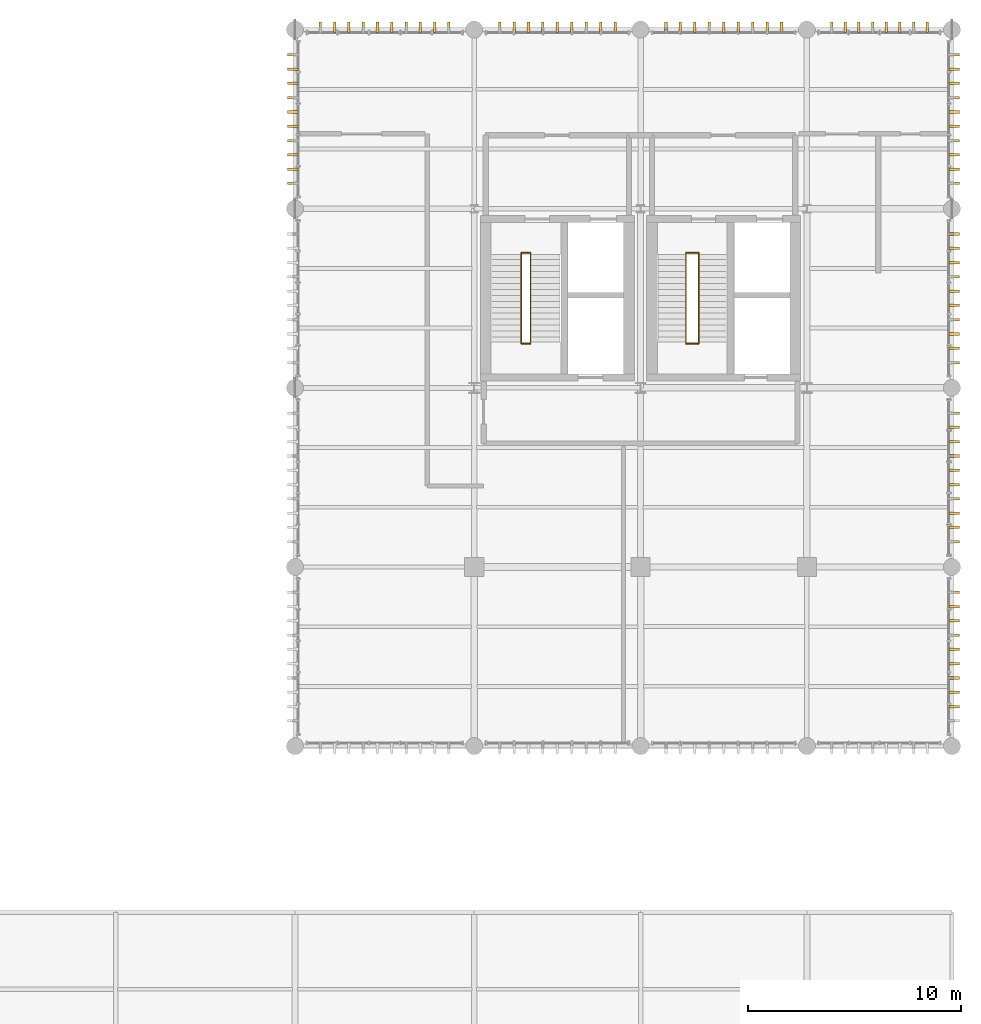
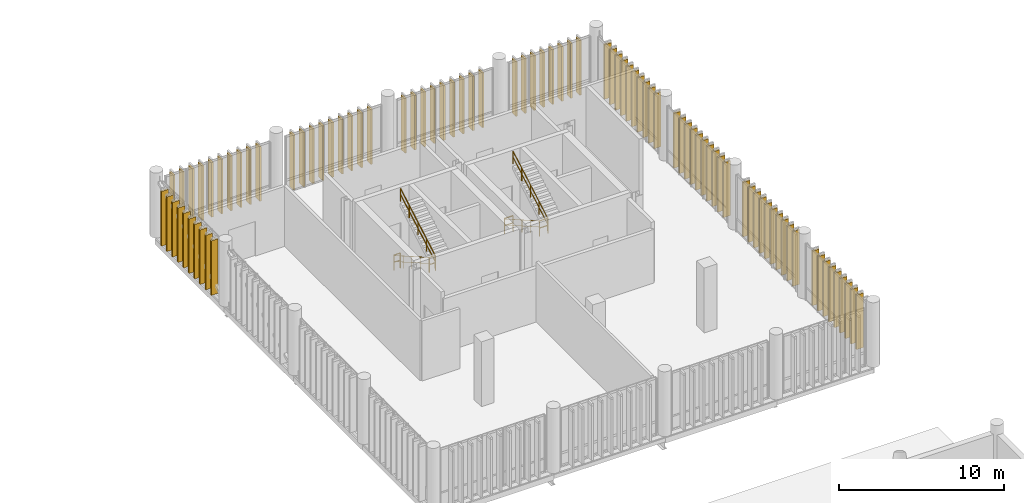
# One storey, part 106 of 109: 85 coverings, 8 railings.
"""IFC4 building model written with IfcOpenShell, lengths in metres."""

from ifc_helpers import new_model, si_unit, direction, frame, frame_2d, origin_with_axes, origin_2d_with_axis, place, context, subcontext, project, spatial, rectangle, circle, extrude, material, type_object, element, save


model = new_model("IFC4")

# Units and contexts
model_context = context("Model", 3, precision=1e-05, world=origin_with_axes(), true_north=direction((0.0, 1.0)))
body_context = subcontext(model_context, "Body", "Model", "MODEL_VIEW")
ifc_project = project(units=[si_unit("LENGTHUNIT", "METRE"), si_unit("AREAUNIT", "SQUARE_METRE"), si_unit("VOLUMEUNIT", "CUBIC_METRE"), si_unit("PLANEANGLEUNIT", "RADIAN"), si_unit("MASSUNIT", "GRAM", prefix="KILO"), si_unit("THERMODYNAMICTEMPERATUREUNIT", "KELVIN")], contexts=[model_context])

# Site, building, storey
site_placement = place(None, origin_with_axes())
site = spatial("IfcSite", under=ifc_project, at=site_placement, CompositionType="ELEMENT")
building_placement = place(site_placement, origin_with_axes())
building = spatial("IfcBuilding", under=site, at=building_placement, Name="Montbau Bow Law Courts", CompositionType="ELEMENT")
storey_placement = place(building_placement, frame((0.0, 0.0, 10.8), z_axis=(0.0, 0.0, 1.0), x_axis=(1.0, 0.0, 0.0)))
storey = spatial("IfcBuildingStorey", under=building, at=storey_placement, Name="L02", CompositionType="ELEMENT", Elevation=10.8)

# Coverings
ifc_material_1 = material(Name="Freeze-Thaw Glazed Slate-Grey Ceramic Vertical Louvre", Category="masonry")
covering_type = type_object("IfcCoveringType", Name="CV-LVR-SLT", PredefinedType="CLADDING", material=ifc_material_1)
for number, where, z_axis, x_axis, name in (
    (1, (139.785, 103.07, 10.8), (1.0, 0.0, 0.0), (0.0, 1.0, 0.0), "CLV-L02-2634:cov_2679"),
    (2, (140.455, 103.07, 10.8), (1.0, 0.0, 0.0), (0.0, 1.0, 0.0), "CLV-L02-2635:cov_2680"),
    (3, (141.125, 103.07, 10.8), (1.0, 0.0, 0.0), (0.0, 1.0, 0.0), "CLV-L02-2636:cov_2681"),
    (4, (141.795, 103.07, 10.8), (1.0, 0.0, 0.0), (0.0, 1.0, 0.0), "CLV-L02-2637:cov_2682"),
    (5, (142.465, 103.07, 10.8), (1.0, 0.0, 0.0), (0.0, 1.0, 0.0), "CLV-L02-2638:cov_2683"),
    (6, (143.135, 103.07, 10.8), (1.0, 0.0, 0.0), (0.0, 1.0, 0.0), "CLV-L02-2639:cov_2684"),
    (7, (143.805, 103.07, 10.8), (1.0, 0.0, 0.0), (0.0, 1.0, 0.0), "CLV-L02-2640:cov_2685"),
    (8, (144.475, 103.07, 10.8), (1.0, 0.0, 0.0), (0.0, 1.0, 0.0), "CLV-L02-2641:cov_2686"),
    (9, (145.145, 103.07, 10.8), (1.0, 0.0, 0.0), (0.0, 1.0, 0.0), "CLV-L02-2642:cov_2687"),
    (10, (145.815, 103.07, 10.8), (1.0, 0.0, 0.0), (0.0, 1.0, 0.0), "CLV-L02-2643:cov_2688"),
    (11, (148.192, 103.07, 10.8), (1.0, 0.0, 0.0), (0.0, 1.0, 0.0), "CLV-L02-2644:cov_2689"),
    (12, (148.869, 103.07, 10.8), (1.0, 0.0, 0.0), (0.0, 1.0, 0.0), "CLV-L02-2645:cov_2690"),
    (13, (149.546, 103.07, 10.8), (1.0, 0.0, 0.0), (0.0, 1.0, 0.0), "CLV-L02-2646:cov_2691"),
    (14, (150.223, 103.07, 10.8), (1.0, 0.0, 0.0), (0.0, 1.0, 0.0), "CLV-L02-2647:cov_2692"),
    (15, (150.9, 103.07, 10.8), (1.0, 0.0, 0.0), (0.0, 1.0, 0.0), "CLV-L02-2648:cov_2693"),
    (16, (151.577, 103.07, 10.8), (1.0, 0.0, 0.0), (0.0, 1.0, 0.0), "CLV-L02-2649:cov_2694"),
    (17, (152.254, 103.07, 10.8), (1.0, 0.0, 0.0), (0.0, 1.0, 0.0), "CLV-L02-2650:cov_2695"),
    (18, (152.931, 103.07, 10.8), (1.0, 0.0, 0.0), (0.0, 1.0, 0.0), "CLV-L02-2651:cov_2696"),
    (19, (153.608, 103.07, 10.8), (1.0, 0.0, 0.0), (0.0, 1.0, 0.0), "CLV-L02-2652:cov_2697"),
    (20, (155.992, 103.07, 10.8), (1.0, 0.0, 0.0), (0.0, 1.0, 0.0), "CLV-L02-2653:cov_2698"),
    (21, (156.669, 103.07, 10.8), (1.0, 0.0, 0.0), (0.0, 1.0, 0.0), "CLV-L02-2654:cov_2699"),
    (22, (157.346, 103.07, 10.8), (1.0, 0.0, 0.0), (0.0, 1.0, 0.0), "CLV-L02-2655:cov_2700"),
    (23, (158.023, 103.07, 10.8), (1.0, 0.0, 0.0), (0.0, 1.0, 0.0), "CLV-L02-2656:cov_2701"),
    (24, (158.7, 103.07, 10.8), (1.0, 0.0, 0.0), (0.0, 1.0, 0.0), "CLV-L02-2657:cov_2702"),
    (25, (159.377, 103.07, 10.8), (1.0, 0.0, 0.0), (0.0, 1.0, 0.0), "CLV-L02-2658:cov_2703"),
    (26, (160.054, 103.07, 10.8), (1.0, 0.0, 0.0), (0.0, 1.0, 0.0), "CLV-L02-2659:cov_2704"),
    (27, (160.731, 103.07, 10.8), (1.0, 0.0, 0.0), (0.0, 1.0, 0.0), "CLV-L02-2660:cov_2705"),
    (28, (161.408, 103.07, 10.8), (1.0, 0.0, 0.0), (0.0, 1.0, 0.0), "CLV-L02-2661:cov_2706"),
    (29, (163.756, 103.07, 10.8), (1.0, 0.0, 0.0), (0.0, 1.0, 0.0), "CLV-L02-2662:cov_2707"),
    (30, (164.397, 103.07, 10.8), (1.0, 0.0, 0.0), (0.0, 1.0, 0.0), "CLV-L02-2663:cov_2708"),
    (31, (165.038, 103.07, 10.8), (1.0, 0.0, 0.0), (0.0, 1.0, 0.0), "CLV-L02-2664:cov_2709"),
    (32, (165.679, 103.07, 10.8), (1.0, 0.0, 0.0), (0.0, 1.0, 0.0), "CLV-L02-2665:cov_2710"),
    (33, (166.321, 103.07, 10.8), (1.0, 0.0, 0.0), (0.0, 1.0, 0.0), "CLV-L02-2666:cov_2711"),
    (34, (166.962, 103.07, 10.8), (1.0, 0.0, 0.0), (0.0, 1.0, 0.0), "CLV-L02-2667:cov_2712"),
    (35, (167.603, 103.07, 10.8), (1.0, 0.0, 0.0), (0.0, 1.0, 0.0), "CLV-L02-2668:cov_2713"),
    (36, (168.244, 103.07, 10.8), (1.0, 0.0, 0.0), (0.0, 1.0, 0.0), "CLV-L02-2669:cov_2714"),
    (37, (138.73, 95.985, 10.8), (0.0, 1.0, 0.0), (-1.0, 0.0, 0.0), "CLV-L02-2700:cov_2745"),
    (38, (138.73, 96.655, 10.8), (0.0, 1.0, 0.0), (-1.0, 0.0, 0.0), "CLV-L02-2701:cov_2746"),
    (39, (138.73, 97.325, 10.8), (0.0, 1.0, 0.0), (-1.0, 0.0, 0.0), "CLV-L02-2702:cov_2747"),
    (40, (138.73, 97.995, 10.8), (0.0, 1.0, 0.0), (-1.0, 0.0, 0.0), "CLV-L02-2703:cov_2748"),
    (41, (138.73, 98.665, 10.8), (0.0, 1.0, 0.0), (-1.0, 0.0, 0.0), "CLV-L02-2704:cov_2749"),
    (42, (138.73, 99.335, 10.8), (0.0, 1.0, 0.0), (-1.0, 0.0, 0.0), "CLV-L02-2705:cov_2750"),
    (43, (138.73, 100.005, 10.8), (0.0, 1.0, 0.0), (-1.0, 0.0, 0.0), "CLV-L02-2706:cov_2751"),
    (44, (138.73, 100.675, 10.8), (0.0, 1.0, 0.0), (-1.0, 0.0, 0.0), "CLV-L02-2707:cov_2752"),
    (45, (138.73, 101.345, 10.8), (0.0, 1.0, 0.0), (-1.0, 0.0, 0.0), "CLV-L02-2708:cov_2753"),
    (46, (138.73, 102.015, 10.8), (0.0, 1.0, 0.0), (-1.0, 0.0, 0.0), "CLV-L02-2709:cov_2754"),
    (47, (169.27, 71.455, 10.8), (0.0, -1.0, 0.0), (1.0, 0.0, 0.0), "CLV-L02-2711:cov_2756"),
    (48, (169.27, 72.125, 10.8), (0.0, -1.0, 0.0), (1.0, 0.0, 0.0), "CLV-L02-2712:cov_2757"),
    (49, (169.27, 72.795, 10.8), (0.0, -1.0, 0.0), (1.0, 0.0, 0.0), "CLV-L02-2713:cov_2758"),
    (50, (169.27, 73.465, 10.8), (0.0, -1.0, 0.0), (1.0, 0.0, 0.0), "CLV-L02-2714:cov_2759"),
    (51, (169.27, 74.135, 10.8), (0.0, -1.0, 0.0), (1.0, 0.0, 0.0), "CLV-L02-2715:cov_2760"),
    (52, (169.27, 74.805, 10.8), (0.0, -1.0, 0.0), (1.0, 0.0, 0.0), "CLV-L02-2716:cov_2761"),
    (53, (169.27, 75.475, 10.8), (0.0, -1.0, 0.0), (1.0, 0.0, 0.0), "CLV-L02-2717:cov_2762"),
    (54, (169.27, 76.145, 10.8), (0.0, -1.0, 0.0), (1.0, 0.0, 0.0), "CLV-L02-2718:cov_2763"),
    (55, (169.27, 76.815, 10.8), (0.0, -1.0, 0.0), (1.0, 0.0, 0.0), "CLV-L02-2719:cov_2764"),
    (56, (169.27, 79.185, 10.8), (0.0, -1.0, 0.0), (1.0, 0.0, 0.0), "CLV-L02-2720:cov_2765"),
    (57, (169.27, 79.855, 10.8), (0.0, -1.0, 0.0), (1.0, 0.0, 0.0), "CLV-L02-2721:cov_2766"),
    (58, (169.27, 80.525, 10.8), (0.0, -1.0, 0.0), (1.0, 0.0, 0.0), "CLV-L02-2722:cov_2767"),
    (59, (169.27, 81.195, 10.8), (0.0, -1.0, 0.0), (1.0, 0.0, 0.0), "CLV-L02-2723:cov_2768"),
    (60, (169.27, 81.865, 10.8), (0.0, -1.0, 0.0), (1.0, 0.0, 0.0), "CLV-L02-2724:cov_2769"),
    (61, (169.27, 82.535, 10.8), (0.0, -1.0, 0.0), (1.0, 0.0, 0.0), "CLV-L02-2725:cov_2770"),
    (62, (169.27, 83.205, 10.8), (0.0, -1.0, 0.0), (1.0, 0.0, 0.0), "CLV-L02-2726:cov_2771"),
    (63, (169.27, 83.875, 10.8), (0.0, -1.0, 0.0), (1.0, 0.0, 0.0), "CLV-L02-2727:cov_2772"),
    (64, (169.27, 84.545, 10.8), (0.0, -1.0, 0.0), (1.0, 0.0, 0.0), "CLV-L02-2728:cov_2773"),
    (65, (169.27, 85.215, 10.8), (0.0, -1.0, 0.0), (1.0, 0.0, 0.0), "CLV-L02-2729:cov_2774"),
    (66, (169.27, 87.585, 10.8), (0.0, -1.0, 0.0), (1.0, 0.0, 0.0), "CLV-L02-2730:cov_2775"),
    (67, (169.27, 88.255, 10.8), (0.0, -1.0, 0.0), (1.0, 0.0, 0.0), "CLV-L02-2731:cov_2776"),
    (68, (169.27, 88.925, 10.8), (0.0, -1.0, 0.0), (1.0, 0.0, 0.0), "CLV-L02-2732:cov_2777"),
    (69, (169.27, 89.595, 10.8), (0.0, -1.0, 0.0), (1.0, 0.0, 0.0), "CLV-L02-2733:cov_2778"),
    (70, (169.27, 90.265, 10.8), (0.0, -1.0, 0.0), (1.0, 0.0, 0.0), "CLV-L02-2734:cov_2779"),
    (71, (169.27, 90.935, 10.8), (0.0, -1.0, 0.0), (1.0, 0.0, 0.0), "CLV-L02-2735:cov_2780"),
    (72, (169.27, 91.605, 10.8), (0.0, -1.0, 0.0), (1.0, 0.0, 0.0), "CLV-L02-2736:cov_2781"),
    (73, (169.27, 92.275, 10.8), (0.0, -1.0, 0.0), (1.0, 0.0, 0.0), "CLV-L02-2737:cov_2782"),
    (74, (169.27, 92.945, 10.8), (0.0, -1.0, 0.0), (1.0, 0.0, 0.0), "CLV-L02-2738:cov_2783"),
    (75, (169.27, 93.615, 10.8), (0.0, -1.0, 0.0), (1.0, 0.0, 0.0), "CLV-L02-2739:cov_2784"),
    (76, (169.27, 95.985, 10.8), (0.0, -1.0, 0.0), (1.0, 0.0, 0.0), "CLV-L02-2740:cov_2785"),
    (77, (169.27, 96.655, 10.8), (0.0, -1.0, 0.0), (1.0, 0.0, 0.0), "CLV-L02-2741:cov_2786"),
    (78, (169.27, 97.325, 10.8), (0.0, -1.0, 0.0), (1.0, 0.0, 0.0), "CLV-L02-2742:cov_2787"),
    (79, (169.27, 97.995, 10.8), (0.0, -1.0, 0.0), (1.0, 0.0, 0.0), "CLV-L02-2743:cov_2788"),
    (80, (169.27, 98.665, 10.8), (0.0, -1.0, 0.0), (1.0, 0.0, 0.0), "CLV-L02-2744:cov_2789"),
    (81, (169.27, 99.335, 10.8), (0.0, -1.0, 0.0), (1.0, 0.0, 0.0), "CLV-L02-2745:cov_2790"),
    (82, (169.27, 100.005, 10.8), (0.0, -1.0, 0.0), (1.0, 0.0, 0.0), "CLV-L02-2746:cov_2791"),
    (83, (169.27, 100.675, 10.8), (0.0, -1.0, 0.0), (1.0, 0.0, 0.0), "CLV-L02-2747:cov_2792"),
    (84, (169.27, 101.345, 10.8), (0.0, -1.0, 0.0), (1.0, 0.0, 0.0), "CLV-L02-2748:cov_2793"),
    (85, (169.27, 102.015, 10.8), (0.0, -1.0, 0.0), (1.0, 0.0, 0.0), "CLV-L02-2749:cov_2794"),
):
    element("IfcCovering", number, at=place(None, frame(where, z_axis=z_axis, x_axis=x_axis)), inside=storey, type_object=covering_type, Name=name, PredefinedType="CLADDING", context=body_context, shape_type="SweptSolid", body=[
        extrude(rectangle(XDim=0.48, YDim=4.04, at=frame_2d((0.24, 2.02), x_axis=(1.0, 0.0))), frame((0.0, 0.0, -0.06), z_axis=(0.0, 0.0, 1.0), x_axis=(1.0, 0.0, 0.0)), (0.0, 0.0, 1.0), 0.12),
    ])

# Railings
ifc_material_2 = material(Name="Architectural Bronze-Finished Steel Stair Guard", Category="steel")
railing_type_1 = type_object("IfcRailingType", Name="RL-GRD-1100", PredefinedType="GUARDRAIL", material=ifc_material_2)
railing_1_placement = place(None, origin_with_axes())
element("IfcRailing", 86, at=railing_1_placement, inside=storey, type_object=railing_type_1, Name="SG-ST-P2-L02-ML:rlg_0172", PredefinedType="GUARDRAIL", context=body_context, shape_type="SweptSolid", body=[
    extrude(circle(Radius=0.0225, at=origin_2d_with_axis()), frame((149.21, 88.47, 14.302), z_axis=(1.0, 0.0, 0.0), x_axis=(0.0, 0.0, 1.0)), (0.0, 0.0, 1.0), 0.43),
    extrude(circle(Radius=0.02025, at=origin_2d_with_axis()), frame((149.21, 88.47, 13.772), z_axis=(1.0, 0.0, 0.0), x_axis=(0.0, 0.0, 1.0)), (0.0, 0.0, 1.0), 0.43),
    extrude(circle(Radius=0.02025, at=origin_2d_with_axis()), frame((149.21, 88.47, 13.2), z_axis=(0.0, 0.0, 1.0), x_axis=(1.0, 0.0, 0.0)), (0.0, 0.0, 1.0), 1.07525),
    extrude(circle(Radius=0.02025, at=origin_2d_with_axis()), frame((149.64, 88.47, 13.2), z_axis=(0.0, 0.0, 1.0), x_axis=(1.0, 0.0, 0.0)), (0.0, 0.0, 1.0), 1.07525),
])
railing_2_placement = place(None, origin_with_axes())
element("IfcRailing", 87, at=railing_2_placement, inside=storey, type_object=railing_type_1, Name="SG-ST-P2-L02-BL:rlg_0173", PredefinedType="GUARDRAIL", context=body_context, shape_type="SweptSolid", body=[
    extrude(circle(Radius=0.0225, at=origin_2d_with_axis()), frame((149.21, 92.73, 11.902), z_axis=(1.0, 0.0, 0.0), x_axis=(0.0, 0.0, 1.0)), (0.0, 0.0, 1.0), 0.43),
    extrude(circle(Radius=0.02025, at=origin_2d_with_axis()), frame((149.21, 92.73, 11.372), z_axis=(1.0, 0.0, 0.0), x_axis=(0.0, 0.0, 1.0)), (0.0, 0.0, 1.0), 0.43),
    extrude(circle(Radius=0.02025, at=origin_2d_with_axis()), frame((149.21, 92.73, 10.8), z_axis=(0.0, 0.0, 1.0), x_axis=(1.0, 0.0, 0.0)), (0.0, 0.0, 1.0), 1.07525),
    extrude(circle(Radius=0.02025, at=origin_2d_with_axis()), frame((149.64, 92.73, 10.8), z_axis=(0.0, 0.0, 1.0), x_axis=(1.0, 0.0, 0.0)), (0.0, 0.0, 1.0), 1.07525),
])
railing_3_placement = place(None, origin_with_axes())
element("IfcRailing", 88, at=railing_3_placement, inside=storey, type_object=railing_type_1, Name="SG-ST-J2-L02-ML:rlg_0215", PredefinedType="GUARDRAIL", context=body_context, shape_type="SweptSolid", body=[
    extrude(circle(Radius=0.0225, at=origin_2d_with_axis()), frame((156.93, 88.47, 14.302), z_axis=(1.0, 0.0, 0.0), x_axis=(0.0, 0.0, 1.0)), (0.0, 0.0, 1.0), 0.59),
    extrude(circle(Radius=0.02025, at=origin_2d_with_axis()), frame((156.93, 88.47, 13.772), z_axis=(1.0, 0.0, 0.0), x_axis=(0.0, 0.0, 1.0)), (0.0, 0.0, 1.0), 0.59),
    extrude(circle(Radius=0.02025, at=origin_2d_with_axis()), frame((156.93, 88.47, 13.2), z_axis=(0.0, 0.0, 1.0), x_axis=(1.0, 0.0, 0.0)), (0.0, 0.0, 1.0), 1.07525),
    extrude(circle(Radius=0.02025, at=origin_2d_with_axis()), frame((157.52, 88.47, 13.2), z_axis=(0.0, 0.0, 1.0), x_axis=(1.0, 0.0, 0.0)), (0.0, 0.0, 1.0), 1.07525),
])
railing_4_placement = place(None, origin_with_axes())
element("IfcRailing", 89, at=railing_4_placement, inside=storey, type_object=railing_type_1, Name="SG-ST-J2-L02-BL:rlg_0216", PredefinedType="GUARDRAIL", context=body_context, shape_type="SweptSolid", body=[
    extrude(circle(Radius=0.0225, at=origin_2d_with_axis()), frame((156.93, 92.73, 11.902), z_axis=(1.0, 0.0, 0.0), x_axis=(0.0, 0.0, 1.0)), (0.0, 0.0, 1.0), 0.59),
    extrude(circle(Radius=0.02025, at=origin_2d_with_axis()), frame((156.93, 92.73, 11.372), z_axis=(1.0, 0.0, 0.0), x_axis=(0.0, 0.0, 1.0)), (0.0, 0.0, 1.0), 0.59),
    extrude(circle(Radius=0.02025, at=origin_2d_with_axis()), frame((156.93, 92.73, 10.8), z_axis=(0.0, 0.0, 1.0), x_axis=(1.0, 0.0, 0.0)), (0.0, 0.0, 1.0), 1.07525),
    extrude(circle(Radius=0.02025, at=origin_2d_with_axis()), frame((157.52, 92.73, 10.8), z_axis=(0.0, 0.0, 1.0), x_axis=(1.0, 0.0, 0.0)), (0.0, 0.0, 1.0), 1.07525),
])
ifc_material_3 = material(Name="White-Oak and Stainless Continuous Stair Handrail", Category="steel")
railing_type_2 = type_object("IfcRailingType", Name="RL-HND-0920", PredefinedType="HANDRAIL", material=ifc_material_3)
railing_5_placement = place(None, origin_with_axes())
element("IfcRailing", 90, at=railing_5_placement, inside=storey, type_object=railing_type_2, Name="HR-ST-P2-L02-1:rlg_0174", PredefinedType="HANDRAIL", context=body_context, shape_type="SweptSolid", body=[
    extrude(circle(Radius=0.021, at=origin_2d_with_axis()), frame((149.21, 92.7, 11.882), z_axis=(0.0, -0.868243142, 0.496138938), x_axis=(0.0, 0.496138938, 0.868243142)), (0.0, 0.0, 1.0), 4.837355),
    extrude(circle(Radius=0.0189, at=origin_2d_with_axis()), frame((149.21, 92.7, 11.4384), z_axis=(0.0, -0.868243142, 0.496138938), x_axis=(0.0, 0.496138938, 0.868243142)), (0.0, 0.0, 1.0), 4.837355),
    extrude(circle(Radius=0.0189, at=origin_2d_with_axis()), frame((149.21, 92.7, 10.96), z_axis=(0.0, 0.0, 1.0), x_axis=(1.0, 0.0, 0.0)), (0.0, 0.0, 1.0), 0.8969),
    extrude(circle(Radius=0.0189, at=origin_2d_with_axis()), frame((149.21, 91.65, 11.56), z_axis=(0.0, 0.0, 1.0), x_axis=(1.0, 0.0, 0.0)), (0.0, 0.0, 1.0), 0.8969),
    extrude(circle(Radius=0.0189, at=origin_2d_with_axis()), frame((149.21, 90.6, 12.16), z_axis=(0.0, 0.0, 1.0), x_axis=(1.0, 0.0, 0.0)), (0.0, 0.0, 1.0), 0.8969),
    extrude(circle(Radius=0.0189, at=origin_2d_with_axis()), frame((149.21, 89.55, 12.76), z_axis=(0.0, 0.0, 1.0), x_axis=(1.0, 0.0, 0.0)), (0.0, 0.0, 1.0), 0.8969),
    extrude(circle(Radius=0.0189, at=origin_2d_with_axis()), frame((149.21, 88.5, 13.36), z_axis=(0.0, 0.0, 1.0), x_axis=(1.0, 0.0, 0.0)), (0.0, 0.0, 1.0), 0.8969),
])
railing_6_placement = place(None, origin_with_axes())
element("IfcRailing", 91, at=railing_6_placement, inside=storey, type_object=railing_type_2, Name="HR-ST-P2-L02-2:rlg_0175", PredefinedType="HANDRAIL", context=body_context, shape_type="SweptSolid", body=[
    extrude(circle(Radius=0.021, at=origin_2d_with_axis()), frame((149.64, 88.5, 14.282), z_axis=(0.0, 0.868243142, 0.496138938), x_axis=(0.0, -0.496138938, 0.868243142)), (0.0, 0.0, 1.0), 4.837355),
    extrude(circle(Radius=0.0189, at=origin_2d_with_axis()), frame((149.64, 88.5, 13.8384), z_axis=(0.0, 0.868243142, 0.496138938), x_axis=(0.0, -0.496138938, 0.868243142)), (0.0, 0.0, 1.0), 4.837355),
    extrude(circle(Radius=0.0189, at=origin_2d_with_axis()), frame((149.64, 88.5, 13.36), z_axis=(0.0, 0.0, 1.0), x_axis=(1.0, 0.0, 0.0)), (0.0, 0.0, 1.0), 0.8969),
    extrude(circle(Radius=0.0189, at=origin_2d_with_axis()), frame((149.64, 89.55, 13.96), z_axis=(0.0, 0.0, 1.0), x_axis=(1.0, 0.0, 0.0)), (0.0, 0.0, 1.0), 0.8969),
    extrude(circle(Radius=0.0189, at=origin_2d_with_axis()), frame((149.64, 90.6, 14.56), z_axis=(0.0, 0.0, 1.0), x_axis=(1.0, 0.0, 0.0)), (0.0, 0.0, 1.0), 0.8969),
    extrude(circle(Radius=0.0189, at=origin_2d_with_axis()), frame((149.64, 91.65, 15.16), z_axis=(0.0, 0.0, 1.0), x_axis=(1.0, 0.0, 0.0)), (0.0, 0.0, 1.0), 0.8969),
    extrude(circle(Radius=0.0189, at=origin_2d_with_axis()), frame((149.64, 92.7, 15.76), z_axis=(0.0, 0.0, 1.0), x_axis=(1.0, 0.0, 0.0)), (0.0, 0.0, 1.0), 0.8969),
])
railing_7_placement = place(None, origin_with_axes())
element("IfcRailing", 92, at=railing_7_placement, inside=storey, type_object=railing_type_2, Name="HR-ST-J2-L02-1:rlg_0217", PredefinedType="HANDRAIL", context=body_context, shape_type="SweptSolid", body=[
    extrude(circle(Radius=0.021, at=origin_2d_with_axis()), frame((156.93, 92.7, 11.882), z_axis=(0.0, -0.868243142, 0.496138938), x_axis=(0.0, 0.496138938, 0.868243142)), (0.0, 0.0, 1.0), 4.837355),
    extrude(circle(Radius=0.0189, at=origin_2d_with_axis()), frame((156.93, 92.7, 11.4384), z_axis=(0.0, -0.868243142, 0.496138938), x_axis=(0.0, 0.496138938, 0.868243142)), (0.0, 0.0, 1.0), 4.837355),
    extrude(circle(Radius=0.0189, at=origin_2d_with_axis()), frame((156.93, 92.7, 10.96), z_axis=(0.0, 0.0, 1.0), x_axis=(1.0, 0.0, 0.0)), (0.0, 0.0, 1.0), 0.8969),
    extrude(circle(Radius=0.0189, at=origin_2d_with_axis()), frame((156.93, 91.65, 11.56), z_axis=(0.0, 0.0, 1.0), x_axis=(1.0, 0.0, 0.0)), (0.0, 0.0, 1.0), 0.8969),
    extrude(circle(Radius=0.0189, at=origin_2d_with_axis()), frame((156.93, 90.6, 12.16), z_axis=(0.0, 0.0, 1.0), x_axis=(1.0, 0.0, 0.0)), (0.0, 0.0, 1.0), 0.8969),
    extrude(circle(Radius=0.0189, at=origin_2d_with_axis()), frame((156.93, 89.55, 12.76), z_axis=(0.0, 0.0, 1.0), x_axis=(1.0, 0.0, 0.0)), (0.0, 0.0, 1.0), 0.8969),
    extrude(circle(Radius=0.0189, at=origin_2d_with_axis()), frame((156.93, 88.5, 13.36), z_axis=(0.0, 0.0, 1.0), x_axis=(1.0, 0.0, 0.0)), (0.0, 0.0, 1.0), 0.8969),
])
railing_8_placement = place(None, origin_with_axes())
element("IfcRailing", 93, at=railing_8_placement, inside=storey, type_object=railing_type_2, Name="HR-ST-J2-L02-2:rlg_0218", PredefinedType="HANDRAIL", context=body_context, shape_type="SweptSolid", body=[
    extrude(circle(Radius=0.021, at=origin_2d_with_axis()), frame((157.52, 88.5, 14.282), z_axis=(0.0, 0.868243142, 0.496138938), x_axis=(0.0, -0.496138938, 0.868243142)), (0.0, 0.0, 1.0), 4.837355),
    extrude(circle(Radius=0.0189, at=origin_2d_with_axis()), frame((157.52, 88.5, 13.8384), z_axis=(0.0, 0.868243142, 0.496138938), x_axis=(0.0, -0.496138938, 0.868243142)), (0.0, 0.0, 1.0), 4.837355),
    extrude(circle(Radius=0.0189, at=origin_2d_with_axis()), frame((157.52, 88.5, 13.36), z_axis=(0.0, 0.0, 1.0), x_axis=(1.0, 0.0, 0.0)), (0.0, 0.0, 1.0), 0.8969),
    extrude(circle(Radius=0.0189, at=origin_2d_with_axis()), frame((157.52, 89.55, 13.96), z_axis=(0.0, 0.0, 1.0), x_axis=(1.0, 0.0, 0.0)), (0.0, 0.0, 1.0), 0.8969),
    extrude(circle(Radius=0.0189, at=origin_2d_with_axis()), frame((157.52, 90.6, 14.56), z_axis=(0.0, 0.0, 1.0), x_axis=(1.0, 0.0, 0.0)), (0.0, 0.0, 1.0), 0.8969),
    extrude(circle(Radius=0.0189, at=origin_2d_with_axis()), frame((157.52, 91.65, 15.16), z_axis=(0.0, 0.0, 1.0), x_axis=(1.0, 0.0, 0.0)), (0.0, 0.0, 1.0), 0.8969),
    extrude(circle(Radius=0.0189, at=origin_2d_with_axis()), frame((157.52, 92.7, 15.76), z_axis=(0.0, 0.0, 1.0), x_axis=(1.0, 0.0, 0.0)), (0.0, 0.0, 1.0), 0.8969),
])

save(model, "model.ifc")
